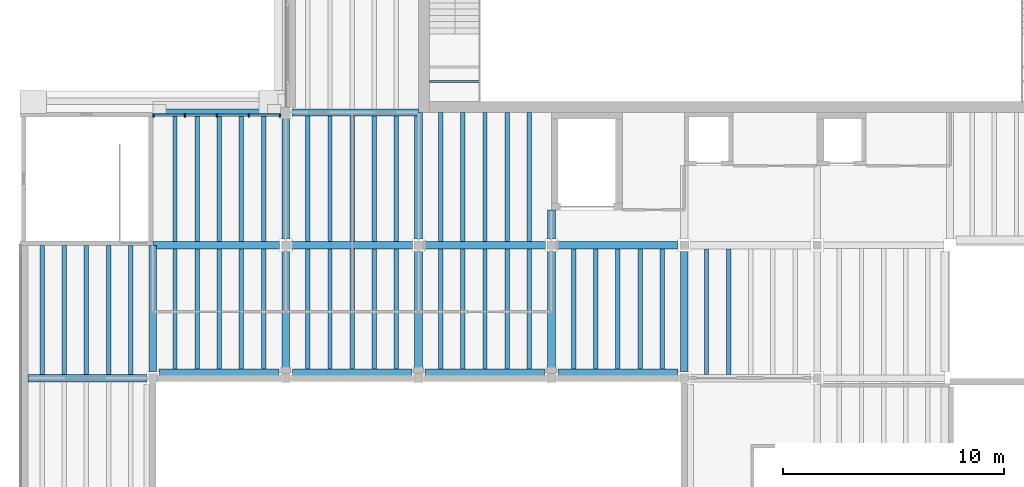
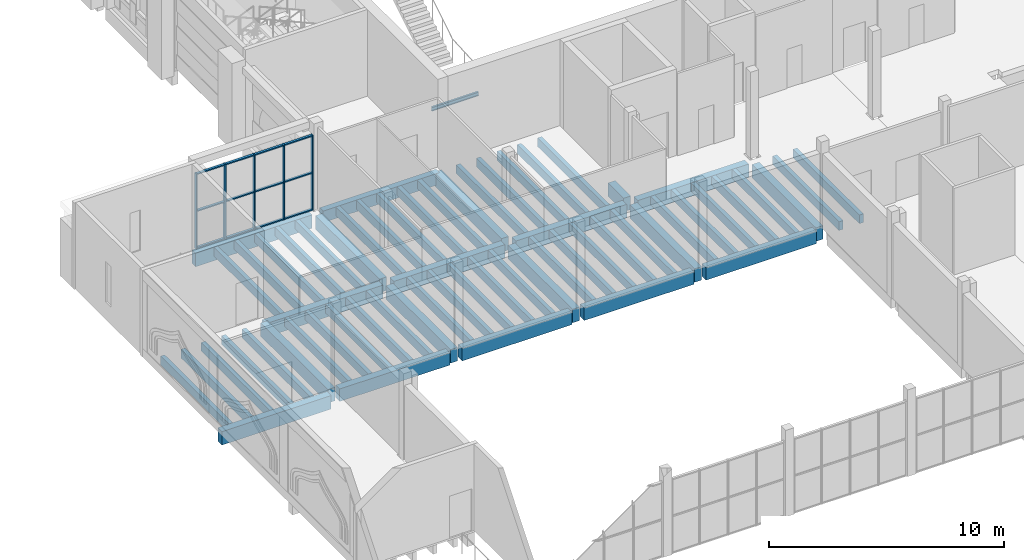
# One storey, part 4 of 70: 62 beams, 17 members, 1 element without a shape of its own.
"""IFC4 building model written with IfcOpenShell, lengths in metres."""

from ifc_helpers import new_model, si_unit, direction, frame, origin, origin_2d, place, context, subcontext, project, spatial, rectangle, i_section, extrude, material, material_profile, profile_set, type_object, element, aggregate, save


model = new_model("IFC4")

# Units and contexts
model_context = context("Model", 3, precision=1e-05, world=origin(), true_north=direction((0.0, 1.0)))
body_context = subcontext(model_context, "Body", "Model", "MODEL_VIEW")
ifc_project = project(units=[si_unit("LENGTHUNIT", "METRE"), si_unit("AREAUNIT", "SQUARE_METRE"), si_unit("VOLUMEUNIT", "CUBIC_METRE"), si_unit("PLANEANGLEUNIT", "RADIAN"), si_unit("MASSUNIT", "GRAM", prefix="KILO")], contexts=[model_context])

# Site, building, storey
site_placement = place(None, origin())
site = spatial("IfcSite", under=ifc_project, at=site_placement, CompositionType="ELEMENT")
building_placement = place(site_placement, origin())
building = spatial("IfcBuilding", under=site, at=building_placement, Name="Saffron Lane Theatres", CompositionType="ELEMENT")
storey_placement = place(building_placement, frame((0.0, 0.0, 12.0)))
storey = spatial("IfcBuildingStorey", under=building, at=storey_placement, Name="L02", CompositionType="ELEMENT", Elevation=12.0)

# Curtain wall, members
ifc_material_1 = material(Name="Aluminium", Category="aluminium")
curtain_wall_type = type_object("IfcCurtainWallType", Name="EX-CURTAIN WALL 5780x3900x160", PredefinedType="NOTDEFINED", material=ifc_material_1)
curtain_wall_placement = place(storey_placement, origin())
curtain_wall = element("IfcCurtainWall", 1, at=curtain_wall_placement, inside=storey, type_object=curtain_wall_type, Name="Curtain wall L02 01", PredefinedType="NOTDEFINED")
ifc_material_2 = material(Name="Aluminium", Category="aluminium")
ifc_material_profile_1 = material_profile(ifc_material_2, rectangle(XDim=0.06005859375, YDim=0.159912109375, at=origin_2d()))
ifc_profile_set_1 = profile_set([ifc_material_profile_1], Name="Aluminium")
member_type_1 = type_object("IfcMemberType", Name="EX-CW MULLION 60x160", PredefinedType="MULLION", material=ifc_profile_set_1)
member_1_placement = place(storey_placement, frame((6.030029296875, 29.8701171875, 0.0), z_axis=(0.0, 0.0, 1.0), x_axis=(1.0, 0.0, 0.0)))
member_1 = element("IfcMember", 2, at=member_1_placement, type_object=member_type_1, Name="CW-02-01 mullion 1", PredefinedType="MULLION", context=body_context, shape_type="SweptSolid", body=[
    extrude(rectangle(XDim=0.06005859375, YDim=0.159912109375, at=origin_2d()), origin(), (0.0, 0.0, 1.0), 3.89990234375),
])
member_2_placement = place(storey_placement, frame((7.44384765625, 29.8701171875, 0.0), z_axis=(0.0, 0.0, 1.0), x_axis=(1.0, 0.0, 0.0)))
member_2 = element("IfcMember", 3, at=member_2_placement, type_object=member_type_1, Name="CW-02-01 mullion 2", PredefinedType="MULLION", context=body_context, shape_type="SweptSolid", body=[
    extrude(rectangle(XDim=0.06005859375, YDim=0.159912109375, at=origin_2d()), origin(), (0.0, 0.0, 1.0), 3.89990234375),
])
member_3_placement = place(storey_placement, frame((8.887451171875, 29.8701171875, 0.0), z_axis=(0.0, 0.0, 1.0), x_axis=(1.0, 0.0, 0.0)))
member_3 = element("IfcMember", 4, at=member_3_placement, type_object=member_type_1, Name="CW-02-01 mullion 3", PredefinedType="MULLION", context=body_context, shape_type="SweptSolid", body=[
    extrude(rectangle(XDim=0.06005859375, YDim=0.159912109375, at=origin_2d()), origin(), (0.0, 0.0, 1.0), 3.89990234375),
])
member_4_placement = place(storey_placement, frame((10.331298828125, 29.8701171875, 0.0), z_axis=(0.0, 0.0, 1.0), x_axis=(1.0, 0.0, 0.0)))
member_4 = element("IfcMember", 5, at=member_4_placement, type_object=member_type_1, Name="CW-02-01 mullion 4", PredefinedType="MULLION", context=body_context, shape_type="SweptSolid", body=[
    extrude(rectangle(XDim=0.06005859375, YDim=0.159912109375, at=origin_2d()), origin(), (0.0, 0.0, 1.0), 3.89990234375),
])
member_5_placement = place(storey_placement, frame((11.744873046875, 29.8701171875, 0.0), z_axis=(0.0, 0.0, 1.0), x_axis=(1.0, 0.0, 0.0)))
member_5 = element("IfcMember", 6, at=member_5_placement, type_object=member_type_1, Name="CW-02-01 mullion 5", PredefinedType="MULLION", context=body_context, shape_type="SweptSolid", body=[
    extrude(rectangle(XDim=0.06005859375, YDim=0.159912109375, at=origin_2d()), origin(), (0.0, 0.0, 1.0), 3.89990234375),
])
ifc_material_3 = material(Name="Aluminium", Category="aluminium")
ifc_material_profile_2 = material_profile(ifc_material_3, rectangle(XDim=0.1201171875, YDim=0.06005859375, at=origin_2d()))
ifc_profile_set_2 = profile_set([ifc_material_profile_2], Name="Aluminium")
member_type_2 = type_object("IfcMemberType", Name="EX-CW TRANSOM 120x60", PredefinedType="USERDEFINED", material=ifc_profile_set_2)
member_6_placement = place(storey_placement, frame((6.06005859375, 29.8701171875, 0.030029296875), z_axis=(1.0, 0.0, 0.0), x_axis=(0.0, 1.0, 0.0)))
member_6 = element("IfcMember", 7, at=member_6_placement, type_object=member_type_2, Name="CW-02-01 transom 1.1", ObjectType="TRANSOM", PredefinedType="USERDEFINED", context=body_context, shape_type="SweptSolid", body=[
    extrude(rectangle(XDim=0.1201171875, YDim=0.06005859375, at=origin_2d()), origin(), (0.0, 0.0, 1.0), 1.353759765625),
])
member_7_placement = place(storey_placement, frame((6.06005859375, 29.8701171875, 1.949951171875), z_axis=(1.0, 0.0, 0.0), x_axis=(0.0, 1.0, 0.0)))
member_7 = element("IfcMember", 8, at=member_7_placement, type_object=member_type_2, Name="CW-02-01 transom 1.2", ObjectType="TRANSOM", PredefinedType="USERDEFINED", context=body_context, shape_type="SweptSolid", body=[
    extrude(rectangle(XDim=0.1201171875, YDim=0.06005859375, at=origin_2d()), origin(), (0.0, 0.0, 1.0), 1.353759765625),
])
member_8_placement = place(storey_placement, frame((6.06005859375, 29.8701171875, 3.869873046875), z_axis=(1.0, 0.0, 0.0), x_axis=(0.0, 1.0, 0.0)))
member_8 = element("IfcMember", 9, at=member_8_placement, type_object=member_type_2, Name="CW-02-01 transom 1.3", ObjectType="TRANSOM", PredefinedType="USERDEFINED", context=body_context, shape_type="SweptSolid", body=[
    extrude(rectangle(XDim=0.1201171875, YDim=0.06005859375, at=origin_2d()), origin(), (0.0, 0.0, 1.0), 1.353759765625),
])
member_9_placement = place(storey_placement, frame((7.4736328125, 29.8701171875, 0.030029296875), z_axis=(1.0, 0.0, 0.0), x_axis=(0.0, 1.0, 0.0)))
member_9 = element("IfcMember", 10, at=member_9_placement, type_object=member_type_2, Name="CW-02-01 transom 2.1", ObjectType="TRANSOM", PredefinedType="USERDEFINED", context=body_context, shape_type="SweptSolid", body=[
    extrude(rectangle(XDim=0.1201171875, YDim=0.06005859375, at=origin_2d()), origin(), (0.0, 0.0, 1.0), 1.3837890625),
])
member_10_placement = place(storey_placement, frame((7.4736328125, 29.8701171875, 1.949951171875), z_axis=(1.0, 0.0, 0.0), x_axis=(0.0, 1.0, 0.0)))
member_10 = element("IfcMember", 11, at=member_10_placement, type_object=member_type_2, Name="CW-02-01 transom 2.2", ObjectType="TRANSOM", PredefinedType="USERDEFINED", context=body_context, shape_type="SweptSolid", body=[
    extrude(rectangle(XDim=0.1201171875, YDim=0.06005859375, at=origin_2d()), origin(), (0.0, 0.0, 1.0), 1.3837890625),
])
member_11_placement = place(storey_placement, frame((7.4736328125, 29.8701171875, 3.869873046875), z_axis=(1.0, 0.0, 0.0), x_axis=(0.0, 1.0, 0.0)))
member_11 = element("IfcMember", 12, at=member_11_placement, type_object=member_type_2, Name="CW-02-01 transom 2.3", ObjectType="TRANSOM", PredefinedType="USERDEFINED", context=body_context, shape_type="SweptSolid", body=[
    extrude(rectangle(XDim=0.1201171875, YDim=0.06005859375, at=origin_2d()), origin(), (0.0, 0.0, 1.0), 1.3837890625),
])
member_12_placement = place(storey_placement, frame((8.91748046875, 29.8701171875, 0.030029296875), z_axis=(1.0, 0.0, 0.0), x_axis=(0.0, 1.0, 0.0)))
member_12 = element("IfcMember", 13, at=member_12_placement, type_object=member_type_2, Name="CW-02-01 transom 3.1", ObjectType="TRANSOM", PredefinedType="USERDEFINED", context=body_context, shape_type="SweptSolid", body=[
    extrude(rectangle(XDim=0.1201171875, YDim=0.06005859375, at=origin_2d()), origin(), (0.0, 0.0, 1.0), 1.3837890625),
])
member_13_placement = place(storey_placement, frame((8.91748046875, 29.8701171875, 1.949951171875), z_axis=(1.0, 0.0, 0.0), x_axis=(0.0, 1.0, 0.0)))
member_13 = element("IfcMember", 14, at=member_13_placement, type_object=member_type_2, Name="CW-02-01 transom 3.2", ObjectType="TRANSOM", PredefinedType="USERDEFINED", context=body_context, shape_type="SweptSolid", body=[
    extrude(rectangle(XDim=0.1201171875, YDim=0.06005859375, at=origin_2d()), origin(), (0.0, 0.0, 1.0), 1.3837890625),
])
member_14_placement = place(storey_placement, frame((8.91748046875, 29.8701171875, 3.869873046875), z_axis=(1.0, 0.0, 0.0), x_axis=(0.0, 1.0, 0.0)))
member_14 = element("IfcMember", 15, at=member_14_placement, type_object=member_type_2, Name="CW-02-01 transom 3.3", ObjectType="TRANSOM", PredefinedType="USERDEFINED", context=body_context, shape_type="SweptSolid", body=[
    extrude(rectangle(XDim=0.1201171875, YDim=0.06005859375, at=origin_2d()), origin(), (0.0, 0.0, 1.0), 1.3837890625),
])
member_15_placement = place(storey_placement, frame((10.361083984375, 29.8701171875, 0.030029296875), z_axis=(1.0, 0.0, 0.0), x_axis=(0.0, 1.0, 0.0)))
member_15 = element("IfcMember", 16, at=member_15_placement, type_object=member_type_2, Name="CW-02-01 transom 4.1", ObjectType="TRANSOM", PredefinedType="USERDEFINED", context=body_context, shape_type="SweptSolid", body=[
    extrude(rectangle(XDim=0.1201171875, YDim=0.06005859375, at=origin_2d()), origin(), (0.0, 0.0, 1.0), 1.353759765625),
])
member_16_placement = place(storey_placement, frame((10.361083984375, 29.8701171875, 1.949951171875), z_axis=(1.0, 0.0, 0.0), x_axis=(0.0, 1.0, 0.0)))
member_16 = element("IfcMember", 17, at=member_16_placement, type_object=member_type_2, Name="CW-02-01 transom 4.2", ObjectType="TRANSOM", PredefinedType="USERDEFINED", context=body_context, shape_type="SweptSolid", body=[
    extrude(rectangle(XDim=0.1201171875, YDim=0.06005859375, at=origin_2d()), origin(), (0.0, 0.0, 1.0), 1.353759765625),
])
member_17_placement = place(storey_placement, frame((10.361083984375, 29.8701171875, 3.869873046875), z_axis=(1.0, 0.0, 0.0), x_axis=(0.0, 1.0, 0.0)))
member_17 = element("IfcMember", 18, at=member_17_placement, type_object=member_type_2, Name="CW-02-01 transom 4.3", ObjectType="TRANSOM", PredefinedType="USERDEFINED", context=body_context, shape_type="SweptSolid", body=[
    extrude(rectangle(XDim=0.1201171875, YDim=0.06005859375, at=origin_2d()), origin(), (0.0, 0.0, 1.0), 1.353759765625),
])
aggregate(curtain_wall, [member_1, member_2, member_3, member_4, member_5, member_6, member_7, member_8, member_9, member_10, member_11, member_12, member_13, member_14, member_15, member_16, member_17])

# Beams
ifc_material_4 = material(Name="Concrete N40 (40 MPa)", Category="concrete")
ifc_material_profile_3 = material_profile(ifc_material_4, rectangle(XDim=0.300048828125, YDim=0.60009765625, at=origin_2d()))
ifc_profile_set_3 = profile_set([ifc_material_profile_3], Name="Concrete N40 (40 MPa)")
beam_type_1 = type_object("IfcBeamType", Name="RC-BEAM 300x600", PredefinedType="BEAM", material=ifc_profile_set_3)
beam_1_placement = place(storey_placement, frame((12.27490234375, 30.0, -0.550048828125), z_axis=(1.0, 0.0, 0.0), x_axis=(0.0, 1.0, 0.0)))
element("IfcBeam", 19, at=beam_1_placement, inside=storey, type_object=beam_type_1, Name="beam-L02-x300-123", PredefinedType="BEAM", context=body_context, shape_type="SweptSolid", body=[
    extrude(rectangle(XDim=0.300048828125, YDim=0.60009765625, at=origin_2d()), origin(), (0.0, 0.0, 1.0), 5.72509765625),
])
ifc_material_5 = material(Name="Concrete N40 (40 MPa)", Category="concrete")
ifc_material_profile_4 = material_profile(ifc_material_5, rectangle(XDim=0.300048828125, YDim=0.699951171875, at=origin_2d()))
ifc_profile_set_4 = profile_set([ifc_material_profile_4], Name="Concrete N40 (40 MPa)")
beam_type_2 = type_object("IfcBeamType", Name="RC-BEAM 300x700", PredefinedType="BEAM", material=ifc_profile_set_4)
beam_2_placement = place(storey_placement, frame((6.0, 30.0, -0.60009765625), z_axis=(1.0, 0.0, 0.0), x_axis=(0.0, 1.0, 0.0)))
element("IfcBeam", 20, at=beam_2_placement, inside=storey, type_object=beam_type_2, Name="beam-L02-x300-60", PredefinedType="BEAM", context=body_context, shape_type="SweptSolid", body=[
    extrude(rectangle(XDim=0.300048828125, YDim=0.699951171875, at=origin_2d()), origin(), (0.0, 0.0, 1.0), 5.72509765625),
])
ifc_material_6 = material(Name="Concrete N40 (40 MPa)", Category="concrete")
ifc_material_profile_5 = material_profile(ifc_material_6, rectangle(XDim=0.35009765625, YDim=0.64990234375, at=origin_2d()))
ifc_profile_set_5 = profile_set([ifc_material_profile_5], Name="Concrete N40 (40 MPa)")
beam_type_3 = type_object("IfcBeamType", Name="RC-BEAM 350x650", PredefinedType="BEAM", material=ifc_profile_set_5)
beam_3_placement = place(storey_placement, frame((6.27490234375, 18.235107421875, -0.574951171875), z_axis=(1.0, 0.0, 0.0), x_axis=(0.0, 1.0, 0.0)))
element("IfcBeam", 21, at=beam_3_placement, inside=storey, type_object=beam_type_3, Name="beam-L02-x180-63", PredefinedType="BEAM", context=body_context, shape_type="SweptSolid", body=[
    extrude(rectangle(XDim=0.35009765625, YDim=0.64990234375, at=origin_2d()), origin(), (0.0, 0.0, 1.0), 5.425048828125),
])
for number, where, z_axis, x_axis, name in (
    (22, (12.300048828125, 18.235107421875, -0.574951171875), (1.0, 0.0, 0.0), (0.0, 1.0, 0.0), "beam-L02-x180-123"),
    (23, (18.300048828125, 18.235107421875, -0.574951171875), (1.0, 0.0, 0.0), (0.0, 1.0, 0.0), "beam-L02-x180-183"),
):
    element("IfcBeam", number, at=place(storey_placement, frame(where, z_axis=z_axis, x_axis=x_axis)), inside=storey, type_object=beam_type_3, Name=name, PredefinedType="BEAM", context=body_context, shape_type="SweptSolid", body=[
        extrude(rectangle(XDim=0.35009765625, YDim=0.64990234375, at=origin_2d()), origin(), (0.0, 0.0, 1.0), 5.39990234375),
    ])
beam_4_placement = place(storey_placement, frame((24.300048828125, 18.235107421875, -0.574951171875), z_axis=(1.0, 0.0, 0.0), x_axis=(0.0, 1.0, 0.0)))
element("IfcBeam", 24, at=beam_4_placement, inside=storey, type_object=beam_type_3, Name="beam-L02-x180-243", PredefinedType="BEAM", context=body_context, shape_type="SweptSolid", body=[
    extrude(rectangle(XDim=0.35009765625, YDim=0.64990234375, at=origin_2d()), origin(), (0.0, 0.0, 1.0), 5.425048828125),
])
ifc_material_7 = material(Name="Concrete N40 (40 MPa)", Category="concrete")
ifc_material_profile_6 = material_profile(ifc_material_7, rectangle(XDim=0.35009765625, YDim=0.699951171875, at=origin_2d()))
ifc_profile_set_6 = profile_set([ifc_material_profile_6], Name="Concrete N40 (40 MPa)")
beam_type_4 = type_object("IfcBeamType", Name="RC-BEAM 350x700", PredefinedType="BEAM", material=ifc_profile_set_6)
beam_5_placement = place(storey_placement, frame((0.360107421875, 18.0, -0.60009765625), z_axis=(1.0, 0.0, 0.0), x_axis=(0.0, 1.0, 0.0)))
element("IfcBeam", 25, at=beam_5_placement, inside=storey, type_object=beam_type_4, Name="beam-L02-x180-4", PredefinedType="BEAM", context=body_context, shape_type="SweptSolid", body=[
    extrude(rectangle(XDim=0.35009765625, YDim=0.699951171875, at=origin_2d()), origin(), (0.0, 0.0, 1.0), 5.364990234375),
])
beam_6_placement = place(storey_placement, frame((6.0, 24.0, -0.60009765625), z_axis=(1.0, 0.0, 0.0), x_axis=(0.0, 1.0, 0.0)))
element("IfcBeam", 26, at=beam_6_placement, inside=storey, type_object=beam_type_4, Name="beam-L02-x240-60", PredefinedType="BEAM", context=body_context, shape_type="SweptSolid", body=[
    extrude(rectangle(XDim=0.35009765625, YDim=0.699951171875, at=origin_2d()), origin(), (0.0, 0.0, 1.0), 5.72509765625),
])
for number, where, z_axis, x_axis, name in (
    (27, (12.27490234375, 24.0, -0.60009765625), (1.0, 0.0, 0.0), (0.0, 1.0, 0.0), "beam-L02-x240-123"),
    (28, (18.27490234375, 24.0, -0.60009765625), (1.0, 0.0, 0.0), (0.0, 1.0, 0.0), "beam-L02-x240-183"),
    (29, (24.27490234375, 24.0, -0.60009765625), (1.0, 0.0, 0.0), (0.0, 1.0, 0.0), "beam-L02-x240-243"),
):
    element("IfcBeam", number, at=place(storey_placement, frame(where, z_axis=z_axis, x_axis=x_axis)), inside=storey, type_object=beam_type_4, Name=name, PredefinedType="BEAM", context=body_context, shape_type="SweptSolid", body=[
        extrude(rectangle(XDim=0.35009765625, YDim=0.699951171875, at=origin_2d()), origin(), (0.0, 0.0, 1.0), 5.4501953125),
    ])
beam_7_placement = place(storey_placement, frame((6.0, 18.27490234375, -0.60009765625), z_axis=(0.0, 1.0, 0.0), x_axis=(-1.0, 0.0, 0.0)))
element("IfcBeam", 30, at=beam_7_placement, inside=storey, type_object=beam_type_4, Name="beam-L02-y60-183", PredefinedType="BEAM", context=body_context, shape_type="SweptSolid", body=[
    extrude(rectangle(XDim=0.35009765625, YDim=0.699951171875, at=origin_2d()), origin(), (0.0, 0.0, 1.0), 5.72509765625),
])
beam_8_placement = place(storey_placement, frame((12.0, 18.22509765625, -0.60009765625), z_axis=(0.0, 1.0, 0.0), x_axis=(-1.0, 0.0, 0.0)))
element("IfcBeam", 31, at=beam_8_placement, inside=storey, type_object=beam_type_4, Name="beam-L02-y120-182", PredefinedType="BEAM", context=body_context, shape_type="SweptSolid", body=[
    extrude(rectangle(XDim=0.35009765625, YDim=0.699951171875, at=origin_2d()), origin(), (0.0, 0.0, 1.0), 5.5),
])
beam_9_placement = place(storey_placement, frame((12.0, 24.27490234375, -0.60009765625), z_axis=(0.0, 1.0, 0.0), x_axis=(-1.0, 0.0, 0.0)))
element("IfcBeam", 32, at=beam_9_placement, inside=storey, type_object=beam_type_4, Name="beam-L02-y120-243", PredefinedType="BEAM", context=body_context, shape_type="SweptSolid", body=[
    extrude(rectangle(XDim=0.35009765625, YDim=0.699951171875, at=origin_2d()), origin(), (0.0, 0.0, 1.0), 5.4501953125),
])
beam_10_placement = place(storey_placement, frame((18.0, 18.22509765625, -0.60009765625), z_axis=(0.0, 1.0, 0.0), x_axis=(-1.0, 0.0, 0.0)))
element("IfcBeam", 33, at=beam_10_placement, inside=storey, type_object=beam_type_4, Name="beam-L02-y180-182", PredefinedType="BEAM", context=body_context, shape_type="SweptSolid", body=[
    extrude(rectangle(XDim=0.35009765625, YDim=0.699951171875, at=origin_2d()), origin(), (0.0, 0.0, 1.0), 5.5),
])
beam_11_placement = place(storey_placement, frame((18.0, 24.27490234375, -0.60009765625), z_axis=(0.0, 1.0, 0.0), x_axis=(-1.0, 0.0, 0.0)))
element("IfcBeam", 34, at=beam_11_placement, inside=storey, type_object=beam_type_4, Name="beam-L02-y180-243", PredefinedType="BEAM", context=body_context, shape_type="SweptSolid", body=[
    extrude(rectangle(XDim=0.35009765625, YDim=0.699951171875, at=origin_2d()), origin(), (0.0, 0.0, 1.0), 5.72509765625),
])
beam_12_placement = place(storey_placement, frame((24.0, 18.22509765625, -0.60009765625), z_axis=(0.0, 1.0, 0.0), x_axis=(-1.0, 0.0, 0.0)))
element("IfcBeam", 35, at=beam_12_placement, inside=storey, type_object=beam_type_4, Name="beam-L02-y240-182", PredefinedType="BEAM", context=body_context, shape_type="SweptSolid", body=[
    extrude(rectangle(XDim=0.35009765625, YDim=0.699951171875, at=origin_2d()), origin(), (0.0, 0.0, 1.0), 5.5),
])
beam_13_placement = place(storey_placement, frame((24.0, 24.27490234375, -0.60009765625), z_axis=(0.0, 1.0, 0.0), x_axis=(-1.0, 0.0, 0.0)))
element("IfcBeam", 36, at=beam_13_placement, inside=storey, type_object=beam_type_4, Name="beam-L02-y240-243", PredefinedType="BEAM", context=body_context, shape_type="SweptSolid", body=[
    extrude(rectangle(XDim=0.35009765625, YDim=0.699951171875, at=origin_2d()), origin(), (0.0, 0.0, 1.0), 1.3251953125),
])
beam_14_placement = place(storey_placement, frame((30.0, 18.27490234375, -0.60009765625), z_axis=(0.0, 1.0, 0.0), x_axis=(-1.0, 0.0, 0.0)))
element("IfcBeam", 37, at=beam_14_placement, inside=storey, type_object=beam_type_4, Name="beam-L02-y300-183", PredefinedType="BEAM", context=body_context, shape_type="SweptSolid", body=[
    extrude(rectangle(XDim=0.35009765625, YDim=0.699951171875, at=origin_2d()), origin(), (0.0, 0.0, 1.0), 5.4501953125),
])
ifc_material_8 = material(Name="Concrete N40 (40 MPa)", Category="concrete")
ifc_material_profile_7 = material_profile(ifc_material_8, rectangle(XDim=0.199951171875, YDim=0.449951171875, at=origin_2d()))
ifc_profile_set_7 = profile_set([ifc_material_profile_7], Name="Concrete N40 (40 MPa)")
beam_type_5 = type_object("IfcBeamType", Name="RC-JOIST 200x450", PredefinedType="JOIST", material=ifc_profile_set_7)
for number, where, z_axis, x_axis, name in (
    (38, (1.0, 18.175048828125, -0.47509765625), (0.0, 1.0, 0.0), (-1.0, 0.0, 0.0), "joist-L02-y100-182"),
    (39, (2.0, 18.175048828125, -0.47509765625), (0.0, 1.0, 0.0), (-1.0, 0.0, 0.0), "joist-L02-y200-182"),
    (40, (3.0, 18.175048828125, -0.47509765625), (0.0, 1.0, 0.0), (-1.0, 0.0, 0.0), "joist-L02-y300-182"),
    (41, (4.0, 18.175048828125, -0.47509765625), (0.0, 1.0, 0.0), (-1.0, 0.0, 0.0), "joist-L02-y400-182"),
    (42, (5.0, 18.175048828125, -0.47509765625), (0.0, 1.0, 0.0), (-1.0, 0.0, 0.0), "joist-L02-y500-182"),
):
    element("IfcBeam", number, at=place(storey_placement, frame(where, z_axis=z_axis, x_axis=x_axis)), inside=storey, type_object=beam_type_5, Name=name, PredefinedType="JOIST", context=body_context, shape_type="SweptSolid", body=[
        extrude(rectangle(XDim=0.199951171875, YDim=0.449951171875, at=origin_2d()), origin(), (0.0, 0.0, 1.0), 5.824951171875),
    ])
for number, where, z_axis, x_axis, name in (
    (43, (7.0, 18.409912109375, -0.47509765625), (0.0, 1.0, 0.0), (-1.0, 0.0, 0.0), "joist-L02-y700-184"),
    (44, (8.0, 18.409912109375, -0.47509765625), (0.0, 1.0, 0.0), (-1.0, 0.0, 0.0), "joist-L02-y800-184"),
    (45, (9.0, 18.409912109375, -0.47509765625), (0.0, 1.0, 0.0), (-1.0, 0.0, 0.0), "joist-L02-y900-184"),
    (46, (10.0, 18.409912109375, -0.47509765625), (0.0, 1.0, 0.0), (-1.0, 0.0, 0.0), "joist-L02-y1000-184"),
    (47, (11.0, 18.409912109375, -0.47509765625), (0.0, 1.0, 0.0), (-1.0, 0.0, 0.0), "joist-L02-y1100-184"),
):
    element("IfcBeam", number, at=place(storey_placement, frame(where, z_axis=z_axis, x_axis=x_axis)), inside=storey, type_object=beam_type_5, Name=name, PredefinedType="JOIST", context=body_context, shape_type="SweptSolid", body=[
        extrude(rectangle(XDim=0.199951171875, YDim=0.449951171875, at=origin_2d()), origin(), (0.0, 0.0, 1.0), 5.4150390625),
    ])
for number, where, z_axis, x_axis, name in (
    (48, (7.0, 24.175048828125, -0.47509765625), (0.0, 1.0, 0.0), (-1.0, 0.0, 0.0), "joist-L02-y700-242"),
    (49, (8.0, 24.175048828125, -0.47509765625), (0.0, 1.0, 0.0), (-1.0, 0.0, 0.0), "joist-L02-y800-242"),
    (50, (9.0, 24.175048828125, -0.47509765625), (0.0, 1.0, 0.0), (-1.0, 0.0, 0.0), "joist-L02-y900-242"),
    (51, (10.0, 24.175048828125, -0.47509765625), (0.0, 1.0, 0.0), (-1.0, 0.0, 0.0), "joist-L02-y1000-242"),
    (52, (11.0, 24.175048828125, -0.47509765625), (0.0, 1.0, 0.0), (-1.0, 0.0, 0.0), "joist-L02-y1100-242"),
):
    element("IfcBeam", number, at=place(storey_placement, frame(where, z_axis=z_axis, x_axis=x_axis)), inside=storey, type_object=beam_type_5, Name=name, PredefinedType="JOIST", context=body_context, shape_type="SweptSolid", body=[
        extrude(rectangle(XDim=0.199951171875, YDim=0.449951171875, at=origin_2d()), origin(), (0.0, 0.0, 1.0), 5.675048828125),
    ])
for number, where, z_axis, x_axis, name in (
    (53, (13.0, 18.409912109375, -0.47509765625), (0.0, 1.0, 0.0), (-1.0, 0.0, 0.0), "joist-L02-y1300-184"),
    (54, (14.0, 18.409912109375, -0.47509765625), (0.0, 1.0, 0.0), (-1.0, 0.0, 0.0), "joist-L02-y1400-184"),
    (55, (15.0, 18.409912109375, -0.47509765625), (0.0, 1.0, 0.0), (-1.0, 0.0, 0.0), "joist-L02-y1500-184"),
    (56, (16.0, 18.409912109375, -0.47509765625), (0.0, 1.0, 0.0), (-1.0, 0.0, 0.0), "joist-L02-y1600-184"),
    (57, (17.0, 18.409912109375, -0.47509765625), (0.0, 1.0, 0.0), (-1.0, 0.0, 0.0), "joist-L02-y1700-184"),
):
    element("IfcBeam", number, at=place(storey_placement, frame(where, z_axis=z_axis, x_axis=x_axis)), inside=storey, type_object=beam_type_5, Name=name, PredefinedType="JOIST", context=body_context, shape_type="SweptSolid", body=[
        extrude(rectangle(XDim=0.199951171875, YDim=0.449951171875, at=origin_2d()), origin(), (0.0, 0.0, 1.0), 5.4150390625),
    ])
for number, where, z_axis, x_axis, name in (
    (58, (13.0, 24.175048828125, -0.47509765625), (0.0, 1.0, 0.0), (-1.0, 0.0, 0.0), "joist-L02-y1300-242"),
    (59, (14.0, 24.175048828125, -0.47509765625), (0.0, 1.0, 0.0), (-1.0, 0.0, 0.0), "joist-L02-y1400-242"),
    (60, (15.0, 24.175048828125, -0.47509765625), (0.0, 1.0, 0.0), (-1.0, 0.0, 0.0), "joist-L02-y1500-242"),
    (61, (16.0, 24.175048828125, -0.47509765625), (0.0, 1.0, 0.0), (-1.0, 0.0, 0.0), "joist-L02-y1600-242"),
    (62, (17.0, 24.175048828125, -0.47509765625), (0.0, 1.0, 0.0), (-1.0, 0.0, 0.0), "joist-L02-y1700-242"),
):
    element("IfcBeam", number, at=place(storey_placement, frame(where, z_axis=z_axis, x_axis=x_axis)), inside=storey, type_object=beam_type_5, Name=name, PredefinedType="JOIST", context=body_context, shape_type="SweptSolid", body=[
        extrude(rectangle(XDim=0.199951171875, YDim=0.449951171875, at=origin_2d()), origin(), (0.0, 0.0, 1.0), 5.675048828125),
    ])
for number, where, z_axis, x_axis, name in (
    (63, (19.0, 18.409912109375, -0.47509765625), (0.0, 1.0, 0.0), (-1.0, 0.0, 0.0), "joist-L02-y1900-184"),
    (64, (20.0, 18.409912109375, -0.47509765625), (0.0, 1.0, 0.0), (-1.0, 0.0, 0.0), "joist-L02-y2000-184"),
    (65, (21.0, 18.409912109375, -0.47509765625), (0.0, 1.0, 0.0), (-1.0, 0.0, 0.0), "joist-L02-y2100-184"),
    (66, (22.0, 18.409912109375, -0.47509765625), (0.0, 1.0, 0.0), (-1.0, 0.0, 0.0), "joist-L02-y2200-184"),
    (67, (23.0, 18.409912109375, -0.47509765625), (0.0, 1.0, 0.0), (-1.0, 0.0, 0.0), "joist-L02-y2300-184"),
):
    element("IfcBeam", number, at=place(storey_placement, frame(where, z_axis=z_axis, x_axis=x_axis)), inside=storey, type_object=beam_type_5, Name=name, PredefinedType="JOIST", context=body_context, shape_type="SweptSolid", body=[
        extrude(rectangle(XDim=0.199951171875, YDim=0.449951171875, at=origin_2d()), origin(), (0.0, 0.0, 1.0), 5.4150390625),
    ])
for number, where, z_axis, x_axis, name in (
    (68, (19.0, 24.175048828125, -0.47509765625), (0.0, 1.0, 0.0), (-1.0, 0.0, 0.0), "joist-L02-y1900-242"),
    (69, (20.0, 24.175048828125, -0.47509765625), (0.0, 1.0, 0.0), (-1.0, 0.0, 0.0), "joist-L02-y2000-242"),
    (70, (21.0, 24.175048828125, -0.47509765625), (0.0, 1.0, 0.0), (-1.0, 0.0, 0.0), "joist-L02-y2100-242"),
    (71, (22.0, 24.175048828125, -0.47509765625), (0.0, 1.0, 0.0), (-1.0, 0.0, 0.0), "joist-L02-y2200-242"),
    (72, (23.0, 24.175048828125, -0.47509765625), (0.0, 1.0, 0.0), (-1.0, 0.0, 0.0), "joist-L02-y2300-242"),
):
    element("IfcBeam", number, at=place(storey_placement, frame(where, z_axis=z_axis, x_axis=x_axis)), inside=storey, type_object=beam_type_5, Name=name, PredefinedType="JOIST", context=body_context, shape_type="SweptSolid", body=[
        extrude(rectangle(XDim=0.199951171875, YDim=0.449951171875, at=origin_2d()), origin(), (0.0, 0.0, 1.0), 5.824951171875),
    ])
for number, where, z_axis, x_axis, name in (
    (73, (25.0, 18.409912109375, -0.47509765625), (0.0, 1.0, 0.0), (-1.0, 0.0, 0.0), "joist-L02-y2500-184"),
    (74, (26.0, 18.409912109375, -0.47509765625), (0.0, 1.0, 0.0), (-1.0, 0.0, 0.0), "joist-L02-y2600-184"),
    (75, (27.0, 18.409912109375, -0.47509765625), (0.0, 1.0, 0.0), (-1.0, 0.0, 0.0), "joist-L02-y2700-184"),
    (76, (28.0, 18.409912109375, -0.47509765625), (0.0, 1.0, 0.0), (-1.0, 0.0, 0.0), "joist-L02-y2800-184"),
    (77, (29.0, 18.409912109375, -0.47509765625), (0.0, 1.0, 0.0), (-1.0, 0.0, 0.0), "joist-L02-y2900-184"),
):
    element("IfcBeam", number, at=place(storey_placement, frame(where, z_axis=z_axis, x_axis=x_axis)), inside=storey, type_object=beam_type_5, Name=name, PredefinedType="JOIST", context=body_context, shape_type="SweptSolid", body=[
        extrude(rectangle(XDim=0.199951171875, YDim=0.449951171875, at=origin_2d()), origin(), (0.0, 0.0, 1.0), 5.4150390625),
    ])
for number, where, z_axis, x_axis, name in (
    (78, (31.0, 18.175048828125, -0.47509765625), (0.0, 1.0, 0.0), (-1.0, 0.0, 0.0), "joist-L02-y3100-182"),
    (79, (32.0, 18.175048828125, -0.47509765625), (0.0, 1.0, 0.0), (-1.0, 0.0, 0.0), "joist-L02-y3200-182"),
):
    element("IfcBeam", number, at=place(storey_placement, frame(where, z_axis=z_axis, x_axis=x_axis)), inside=storey, type_object=beam_type_5, Name=name, PredefinedType="JOIST", context=body_context, shape_type="SweptSolid", body=[
        extrude(rectangle(XDim=0.199951171875, YDim=0.449951171875, at=origin_2d()), origin(), (0.0, 0.0, 1.0), 5.64990234375),
    ])
ifc_material_9 = material(Name="Steel Grade 350", Category="steel")
ifc_material_profile_8 = material_profile(ifc_material_9, i_section(OverallWidth=0.09912109375, OverallDepth=0.197998046875, WebThickness=0.00439453125, FlangeThickness=0.007080078125, FilletRadius=0.010986328125, at=origin_2d()))
ifc_profile_set_8 = profile_set([ifc_material_profile_8], Name="Steel Grade 350")
beam_type_6 = type_object("IfcBeamType", Name="ST-GALLERY BEAM 200UB18.2", PredefinedType="BEAM", material=ifc_profile_set_8)
beam_15_placement = place(storey_placement, frame((18.5, 31.39990234375, 1.950927734375), z_axis=(1.0, 0.0, 0.0), x_axis=(0.0, 1.0, 0.0)))
element("IfcBeam", 80, at=beam_15_placement, inside=storey, type_object=beam_type_6, Name="FLW14.25-1", PredefinedType="BEAM", context=body_context, shape_type="SweptSolid", body=[
    extrude(i_section(OverallWidth=0.09912109375, OverallDepth=0.197998046875, WebThickness=0.00439453125, FlangeThickness=0.007080078125, FilletRadius=0.010986328125, at=origin_2d()), origin(), (0.0, 0.0, 1.0), 2.300048828125),
])

save(model, "model.ifc")
